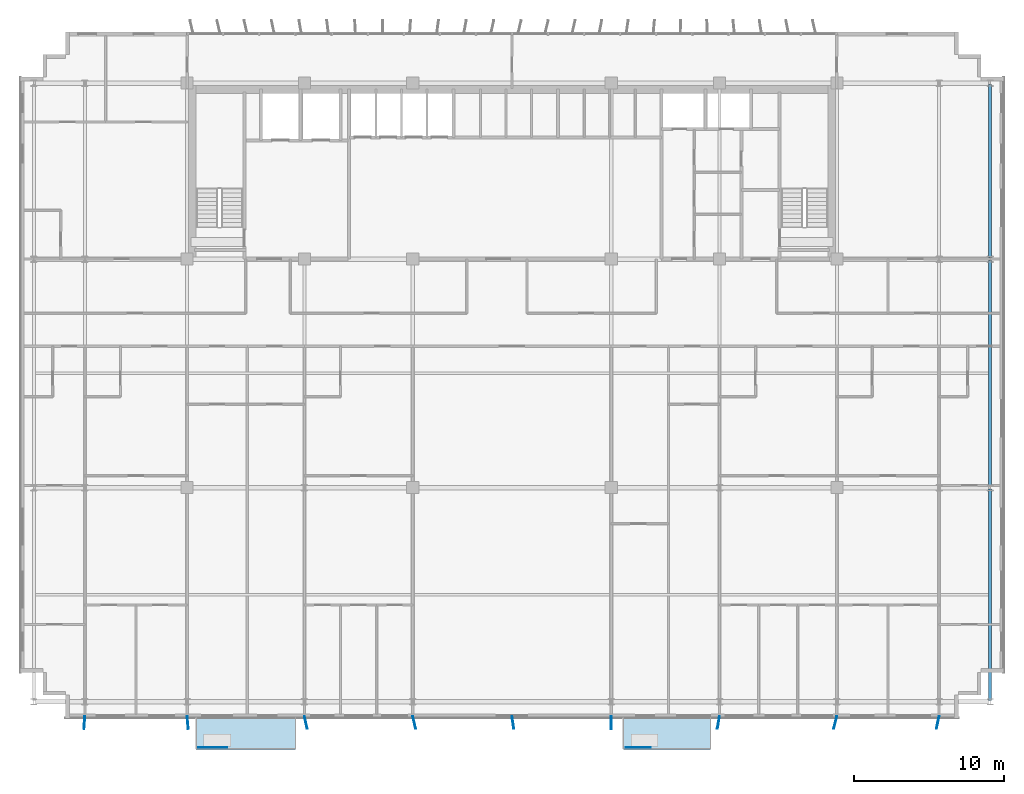
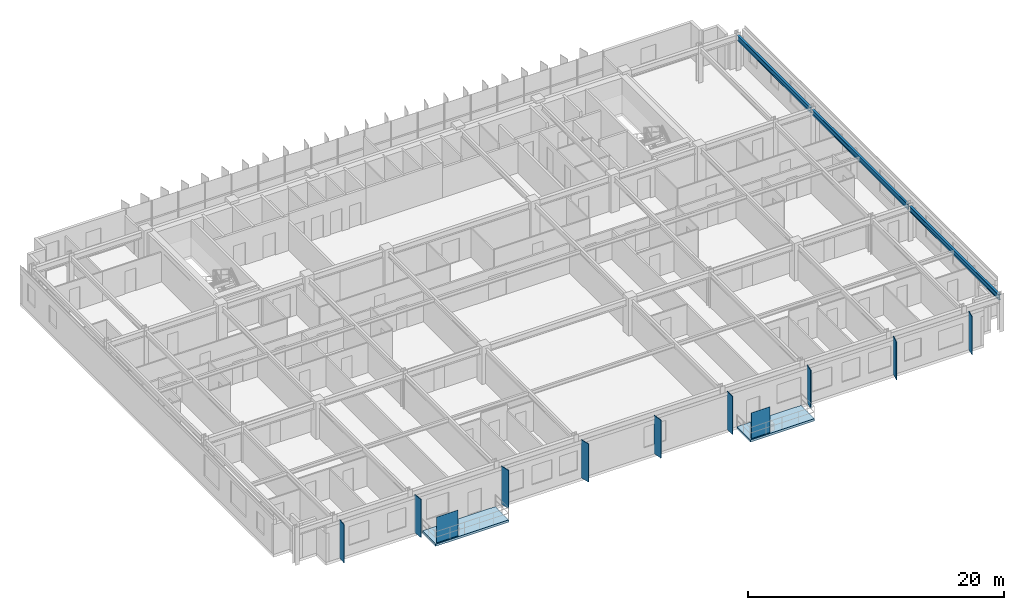
# One storey, part 12 of 22: 11 plates, 3 beams, 2 slabs.
"""IFC4 building model written with IfcOpenShell, lengths in metres."""

from ifc_helpers import new_model, si_unit, direction, frame, origin, origin_2d, place, context, subcontext, project, spatial, polyline, rectangle, i_section, outline, extrude, source, transform, mapped, material, layer, layer_set, material_profile, profile_set, type_object, element, save


model = new_model("IFC4")

# Units and contexts
model_context = context("Model", 3, precision=1e-05, world=origin(), true_north=direction((0.0, 1.0)))
body_context = subcontext(model_context, "Body", "Model", "MODEL_VIEW")
ifc_project = project(units=[si_unit("LENGTHUNIT", "METRE"), si_unit("AREAUNIT", "SQUARE_METRE"), si_unit("VOLUMEUNIT", "CUBIC_METRE"), si_unit("PLANEANGLEUNIT", "RADIAN"), si_unit("MASSUNIT", "GRAM", prefix="KILO")], contexts=[model_context])

# Site, building, storey
site_placement = place(None, origin())
site = spatial("IfcSite", under=ifc_project, at=site_placement, CompositionType="ELEMENT")
building_placement = place(site_placement, origin())
building = spatial("IfcBuilding", under=site, at=building_placement, Name="Trelvane Seafront Commons", CompositionType="ELEMENT")
storey_placement = place(building_placement, frame((0.0, 0.0, 99.699951171875)))
storey = spatial("IfcBuildingStorey", under=building, at=storey_placement, Name="L25", CompositionType="ELEMENT", Elevation=99.699951171875)

# Beams
ifc_material_1 = material(Name="Steel SM355 (S355)", Category="steel")
ifc_material_profile = material_profile(ifc_material_1, i_section(OverallWidth=0.199951171875, OverallDepth=0.5, WebThickness=0.010009765625, FlangeThickness=0.01611328125, at=origin_2d()), Name="H-500x200x10x16")
ifc_profile_set = profile_set([ifc_material_profile], Name="Steel SM355 (S355)")
beam_type = type_object("IfcBeamType", Name="STR-BM-H500", PredefinedType="BEAM", material=ifc_profile_set)
shared_shape_1 = source(origin(), body_context, "Body", "SweptSolid", [
    extrude(i_section(OverallWidth=0.199951171875, OverallDepth=0.5, WebThickness=0.010009765625, FlangeThickness=0.01611328125, at=origin_2d()), origin(), (0.0, 0.0, 1.0), 14.050048828125),
])
beam_1_placement = place(storey_placement, frame((69.0, 4.050048828125, 3.090087890625), z_axis=(0.0, 1.0, 0.0), x_axis=(-1.0, 0.0, 0.0)))
element("IfcBeam", 1, at=beam_1_placement, inside=storey, type_object=beam_type, Name="L25 Primary Girder G-64", PredefinedType="BEAM", context=body_context, shape_type="MappedRepresentation", body=[
    mapped(shared_shape_1, transform((0.0, 0.0, 0.0), x_axis=(1.0, 0.0, 0.0), y_axis=(0.0, 1.0, 0.0), z_axis=(0.0, 0.0, 1.0), scale=1.0)),
])
shared_shape_2 = source(origin(), body_context, "Body", "SweptSolid", [
    extrude(i_section(OverallWidth=0.199951171875, OverallDepth=0.5, WebThickness=0.010009765625, FlangeThickness=0.01611328125, at=origin_2d()), origin(), (0.0, 0.0, 1.0), 15.0),
])
beam_2_placement = place(storey_placement, frame((69.0, 18.300048828125, 3.090087890625), z_axis=(0.0, 1.0, 0.0), x_axis=(-1.0, 0.0, 0.0)))
element("IfcBeam", 2, at=beam_2_placement, inside=storey, type_object=beam_type, Name="L25 Primary Girder G-65", PredefinedType="BEAM", context=body_context, shape_type="MappedRepresentation", body=[
    mapped(shared_shape_2, transform((0.0, 0.0, 0.0), x_axis=(1.0, 0.0, 0.0), y_axis=(0.0, 1.0, 0.0), z_axis=(0.0, 0.0, 1.0), scale=1.0)),
])
shared_shape_3 = source(origin(), body_context, "Body", "SweptSolid", [
    extrude(i_section(OverallWidth=0.199951171875, OverallDepth=0.5, WebThickness=0.010009765625, FlangeThickness=0.01611328125, at=origin_2d()), origin(), (0.0, 0.0, 1.0), 11.5),
])
beam_3_placement = place(storey_placement, frame((69.0, 33.5, 3.090087890625), z_axis=(0.0, 1.0, 0.0), x_axis=(-1.0, 0.0, 0.0)))
element("IfcBeam", 3, at=beam_3_placement, inside=storey, type_object=beam_type, Name="L25 Primary Girder G-66", PredefinedType="BEAM", context=body_context, shape_type="MappedRepresentation", body=[
    mapped(shared_shape_3, transform((0.0, 0.0, 0.0), x_axis=(1.0, 0.0, 0.0), y_axis=(0.0, 1.0, 0.0), z_axis=(0.0, 0.0, 1.0), scale=1.0)),
])

# Slabs
ifc_material_2 = material(Name="Concrete C40/50", Category="concrete")
ifc_layer_1 = layer(ifc_material_2, 0.219970703125, Name="ARCH-BALC-220")
ifc_layer_set_1 = layer_set([ifc_layer_1], Name="Concrete C40/50")
slab_type = type_object("IfcSlabType", Name="ARCH-BALC-220", PredefinedType="FLOOR", material=ifc_layer_set_1)
slab_1_placement = place(storey_placement, frame((0.0, 0.0, -0.219970703125)))
element("IfcSlab", 4, at=slab_1_placement, inside=storey, type_object=slab_type, Name="L25 Cantilevered Tree Balcony Loggia 1", PredefinedType="FLOOR", context=body_context, shape_type="SweptSolid", body=[
    extrude(outline(polyline([(16.199951171875, 0.800048828125), (22.800048828125, 0.800048828125), (22.800048828125, 2.89990234375), (16.199951171875, 2.89990234375), (16.199951171875, 0.800048828125)])), origin(), (0.0, 0.0, 1.0), 0.219970703125),
])
slab_2_placement = place(storey_placement, frame((0.0, 0.0, -0.219970703125)))
element("IfcSlab", 5, at=slab_2_placement, inside=storey, type_object=slab_type, Name="L25 Cantilevered Tree Balcony Loggia 2", PredefinedType="FLOOR", context=body_context, shape_type="SweptSolid", body=[
    extrude(outline(polyline([(44.60009765625, 0.800048828125), (50.39990234375, 0.800048828125), (50.39990234375, 2.89990234375), (44.60009765625, 2.89990234375), (44.60009765625, 0.800048828125)])), origin(), (0.0, 0.0, 1.0), 0.219970703125),
])

# Plates
ifc_material_3 = material(Name="Perforated anodised aluminium screen", Category="aluminium")
ifc_layer_2 = layer(ifc_material_3, 0.01611328125, Name="ARCH-PLATE-SCREEN")
ifc_layer_set_2 = layer_set([ifc_layer_2], Name="Perforated anodised aluminium screen")
plate_type_1 = type_object("IfcPlateType", Name="ARCH-PLATE-SCREEN", PredefinedType="USERDEFINED", material=ifc_layer_set_2)
shared_shape_4 = source(origin(), body_context, "Body", "SweptSolid", [
    extrude(rectangle(XDim=1.9140625, YDim=0.01611328125, at=origin_2d()), origin(), (0.0, 0.0, 1.0), 2.449951171875),
])
plate_1_placement = place(storey_placement, frame((17.306884765625, 0.919921875, 0.0), z_axis=(0.0, 0.0, 1.0), x_axis=(1.0, 0.0, 0.0)))
element("IfcPlate", 6, at=plate_1_placement, inside=storey, type_object=plate_type_1, Name="SCR-L25-00091", ObjectType="SCREEN", PredefinedType="USERDEFINED", context=body_context, shape_type="MappedRepresentation", body=[
    mapped(shared_shape_4, transform((0.0, 0.0, 0.0), x_axis=(1.0, 0.0, 0.0), y_axis=(0.0, 1.0, 0.0), z_axis=(0.0, 0.0, 1.0), scale=1.0)),
])
shared_shape_5 = source(origin(), body_context, "Body", "SweptSolid", [
    extrude(rectangle(XDim=1.681884765625, YDim=0.01611328125, at=origin_2d()), origin(), (0.0, 0.0, 1.0), 2.449951171875),
])
plate_2_placement = place(storey_placement, frame((45.591064453125, 0.919921875, 0.0), z_axis=(0.0, 0.0, 1.0), x_axis=(1.0, 0.0, 0.0)))
element("IfcPlate", 7, at=plate_2_placement, inside=storey, type_object=plate_type_1, Name="SCR-L25-00092", ObjectType="SCREEN", PredefinedType="USERDEFINED", context=body_context, shape_type="MappedRepresentation", body=[
    mapped(shared_shape_5, transform((0.0, 0.0, 0.0), x_axis=(1.0, 0.0, 0.0), y_axis=(0.0, 1.0, 0.0), z_axis=(0.0, 0.0, 1.0), scale=1.0)),
])
ifc_material_4 = material(Name="Anodised pale-silver aluminium", Category="aluminium")
ifc_layer_3 = layer(ifc_material_4, 0.06005859375, Name="ARCH-PLATE-FIN900")
ifc_layer_set_3 = layer_set([ifc_layer_3], Name="Anodised pale-silver aluminium")
plate_type_2 = type_object("IfcPlateType", Name="ARCH-PLATE-FIN900", PredefinedType="USERDEFINED", material=ifc_layer_set_3)
shared_shape_6 = source(origin(), body_context, "Body", "SweptSolid", [
    extrude(rectangle(XDim=0.85009765625, YDim=0.06005859375, at=origin_2d()), origin(), (0.0, 0.0, 1.0), 3.639892578125),
])
for number, where, z_axis, x_axis, name in (
    (8, (8.76806640625, 2.576171875, -0.02001953125), (0.0, 0.0, 1.0), (-0.075058785738, -0.997179110633, 0.0), "FIN-S-L25-00641"),
    (9, (15.63916015625, 2.576904296875, -0.02001953125), (0.0, 0.0, 1.0), (0.092233295041, -0.99573742487, 0.0), "FIN-S-L25-00642"),
    (10, (23.4912109375, 2.5849609375, -0.02001953125), (0.0, 0.0, 1.0), (0.214699530114, -0.976680148139, 0.0), "FIN-S-L25-00643"),
    (11, (30.700439453125, 2.587158203125, -0.02001953125), (0.0, 0.0, 1.0), (0.236358241708, -0.971665982515, 0.0), "FIN-S-L25-00644"),
    (12, (37.262939453125, 2.57958984375, -0.02001953125), (0.0, 0.0, 1.0), (0.148121838404, -0.988969120341, 0.0), "FIN-S-L25-00645"),
    (13, (43.795166015625, 2.5751953125, -0.02001953125), (0.0, 0.0, 1.0), (-0.011295530708, -0.999936203458, 0.0), "FIN-S-L25-00646"),
    (14, (50.929931640625, 2.580810546875, -0.02001953125), (0.0, 0.0, 1.0), (-0.165066541154, -0.986282432669, 0.0), "FIN-S-L25-00647"),
    (15, (58.697998046875, 2.58740234375, -0.02001953125), (0.0, 0.0, 1.0), (-0.240126387968, -0.970741632877, 0.0), "FIN-S-L25-00648"),
    (16, (65.513427734375, 2.583984375, -0.02001953125), (0.0, 0.0, 1.0), (-0.203643459897, -0.979045117061, 0.0), "FIN-S-L25-00649"),
):
    element("IfcPlate", number, at=place(storey_placement, frame(where, z_axis=z_axis, x_axis=x_axis)), inside=storey, type_object=plate_type_2, Name=name, ObjectType="FIN", PredefinedType="USERDEFINED", context=body_context, shape_type="MappedRepresentation", body=[
        mapped(shared_shape_6, transform((0.0, 0.0, 0.0), x_axis=(1.0, 0.0, 0.0), y_axis=(0.0, 1.0, 0.0), z_axis=(0.0, 0.0, 1.0), scale=1.0)),
    ])

save(model, "model.ifc")
